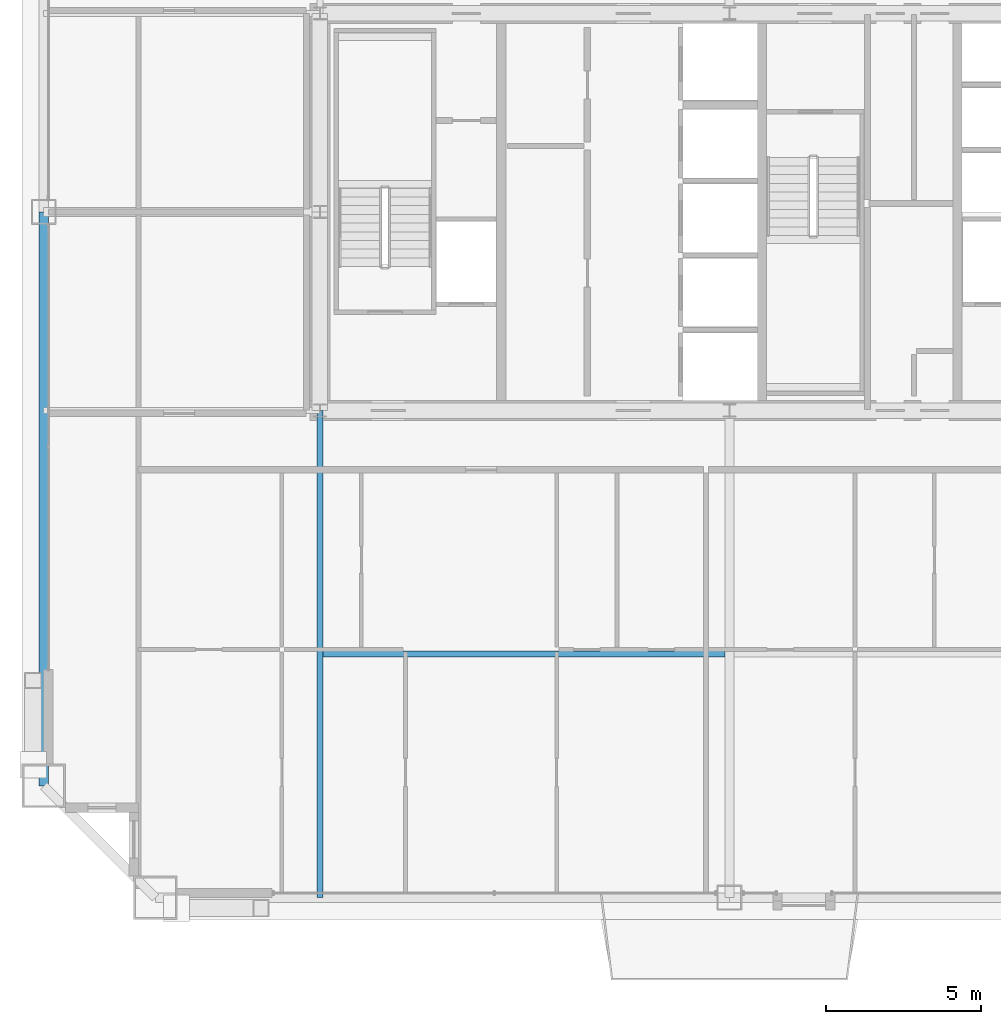
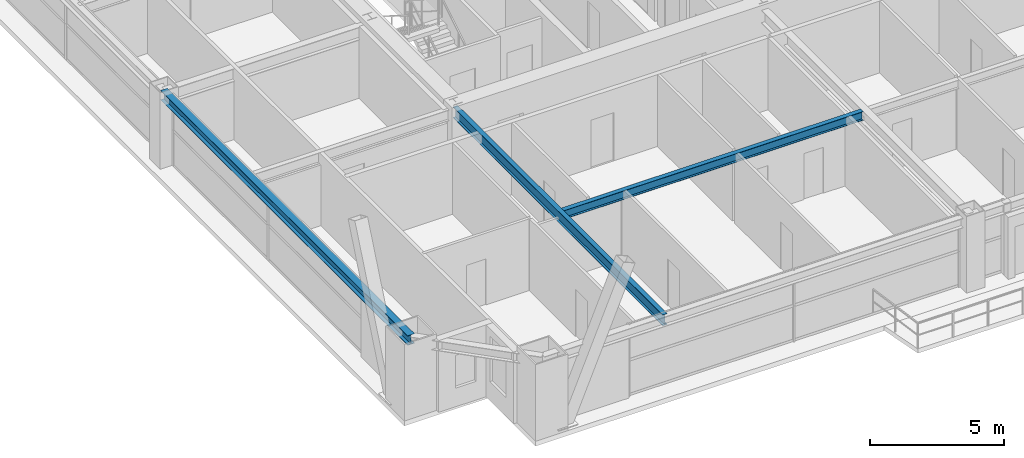
# One storey, part 9 of 45: 3 beams.
"""IFC4 building model written with IfcOpenShell, lengths in metres."""

from ifc_helpers import new_model, si_unit, direction, frame, origin, origin_2d, place, context, subcontext, project, spatial, i_section, extrude, source, transform, mapped, material, material_profile, profile_set, type_object, element, save


model = new_model("IFC4")

# Units and contexts
model_context = context("Model", 3, precision=1e-05, world=origin(), true_north=direction((0.0, 1.0)))
body_context = subcontext(model_context, "Body", "Model", "MODEL_VIEW")
ifc_project = project(units=[si_unit("LENGTHUNIT", "METRE"), si_unit("AREAUNIT", "SQUARE_METRE"), si_unit("VOLUMEUNIT", "CUBIC_METRE"), si_unit("PLANEANGLEUNIT", "RADIAN"), si_unit("MASSUNIT", "GRAM", prefix="KILO"), si_unit("THERMODYNAMICTEMPERATUREUNIT", "KELVIN"), si_unit("POWERUNIT", "WATT")], contexts=[model_context])

# Site, building, storey
site_placement = place(None, origin())
site = spatial("IfcSite", under=ifc_project, at=site_placement, CompositionType="ELEMENT")
building_placement = place(site_placement, origin())
building = spatial("IfcBuilding", under=site, at=building_placement, Name="Yuzanri Waterfront Tower", CompositionType="ELEMENT")
storey_placement = place(building_placement, frame((0.0, 0.0, 198.5)))
storey = spatial("IfcBuildingStorey", under=building, at=storey_placement, Name="L52", CompositionType="ELEMENT", Elevation=198.5)

# Beams
ifc_material_1 = material(Name="Steel Q355B", Category="steel")
ifc_material_profile_1 = material_profile(ifc_material_1, i_section(OverallWidth=0.199951171875, OverallDepth=0.39990234375, WebThickness=0.008056640625, FlangeThickness=0.012939453125, at=origin_2d()), Name="HN 400x200x8x13")
ifc_profile_set_1 = profile_set([ifc_material_profile_1], Name="Steel Q355B")
beam_type_1 = type_object("IfcBeamType", Name="Floor Joist Q355B HN 400x200", PredefinedType="JOIST", material=ifc_profile_set_1)
shared_shape_1 = source(origin(), body_context, "Body", "SweptSolid", [
    extrude(i_section(OverallWidth=0.199951171875, OverallDepth=0.39990234375, WebThickness=0.008056640625, FlangeThickness=0.012939453125, at=origin_2d()), origin(), (0.0, 0.0, 1.0), 12.9501953125),
])
beam_1_placement = place(storey_placement, frame((23.89990234375, 11.550048828125, 3.080078125), z_axis=(1.0, 0.0, 0.0), x_axis=(0.0, 1.0, 0.0)))
element("IfcBeam", 1, at=beam_1_placement, inside=storey, type_object=beam_type_1, Name="L52 South Bay Joist W", PredefinedType="JOIST", context=body_context, shape_type="MappedRepresentation", body=[
    mapped(shared_shape_1, transform((0.0, 0.0, 0.0), scale=1.0)),
])
ifc_material_2 = material(Name="Steel Q355B", Category="steel")
ifc_material_profile_2 = material_profile(ifc_material_2, i_section(OverallWidth=0.300048828125, OverallDepth=0.43994140625, WebThickness=0.010986328125, FlangeThickness=0.01806640625, at=origin_2d()), Name="HM 440x300x11x18")
ifc_profile_set_2 = profile_set([ifc_material_profile_2], Name="Steel Q355B")
beam_type_2 = type_object("IfcBeamType", Name="Perimeter Spandrel Q355B HM 440x300", PredefinedType="SPANDREL", material=ifc_profile_set_2)
shared_shape_2 = source(origin(), body_context, "Body", "SweptSolid", [
    extrude(i_section(OverallWidth=0.300048828125, OverallDepth=0.43994140625, WebThickness=0.010986328125, FlangeThickness=0.01806640625, at=origin_2d()), origin(), (0.0, 0.0, 1.0), 18.5),
])
beam_2_placement = place(storey_placement, frame((14.89990234375, 25.800048828125, 3.06005859375), z_axis=(0.0, -1.0, 0.0), x_axis=(1.0, 0.0, 0.0)))
element("IfcBeam", 2, at=beam_2_placement, inside=storey, type_object=beam_type_2, Name="L52 Perimeter Spandrel W2-W1", PredefinedType="SPANDREL", context=body_context, shape_type="MappedRepresentation", body=[
    mapped(shared_shape_2, transform((0.0, 0.0, 0.0), scale=1.0)),
])
ifc_material_3 = material(Name="Steel Q355B", Category="steel")
ifc_material_profile_3 = material_profile(ifc_material_3, i_section(OverallWidth=0.199951171875, OverallDepth=0.5, WebThickness=0.010009765625, FlangeThickness=0.01611328125, at=origin_2d()), Name="HN 500x200x10x16")
ifc_profile_set_3 = profile_set([ifc_material_profile_3], Name="Steel Q355B")
beam_type_3 = type_object("IfcBeamType", Name="Secondary Floor Beam Q355B HN 500x200", PredefinedType="BEAM", material=ifc_profile_set_3)
shared_shape_3 = source(origin(), body_context, "Body", "SweptSolid", [
    extrude(i_section(OverallWidth=0.199951171875, OverallDepth=0.5, WebThickness=0.010009765625, FlangeThickness=0.01611328125, at=origin_2d()), origin(), (0.0, 0.0, 1.0), 15.699951171875),
])
beam_3_placement = place(storey_placement, frame((23.800048828125, 19.39990234375, 3.030029296875), z_axis=(0.0, -1.0, 0.0), x_axis=(1.0, 0.0, 0.0)))
element("IfcBeam", 3, at=beam_3_placement, inside=storey, type_object=beam_type_3, Name="L52 South-West Core Line Beam", PredefinedType="BEAM", context=body_context, shape_type="MappedRepresentation", body=[
    mapped(shared_shape_3, transform((0.0, 0.0, 0.0), scale=1.0)),
])

save(model, "model.ifc")
